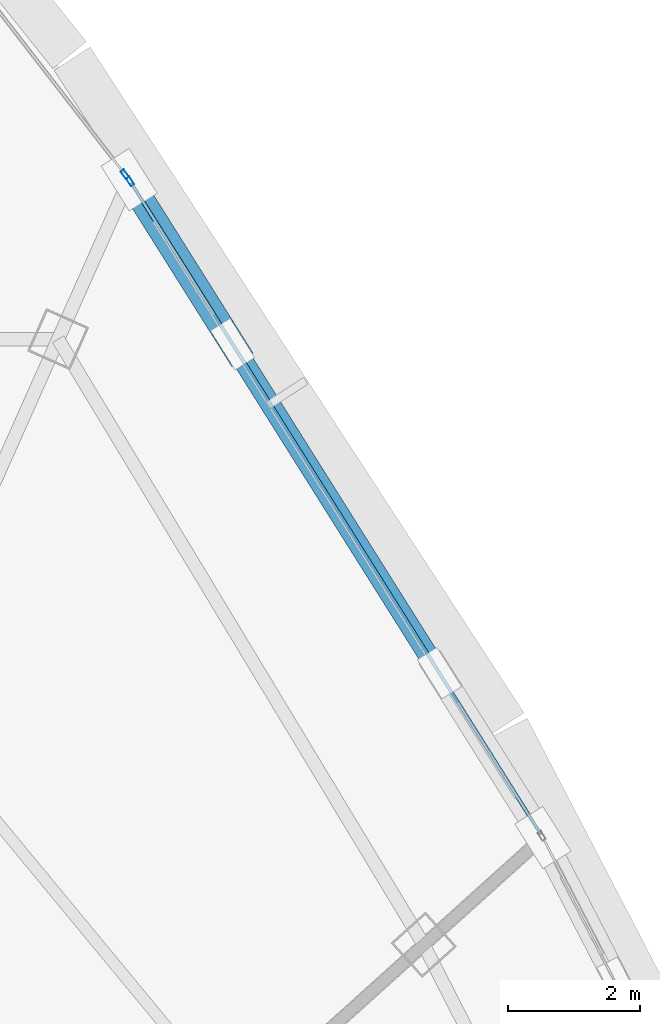
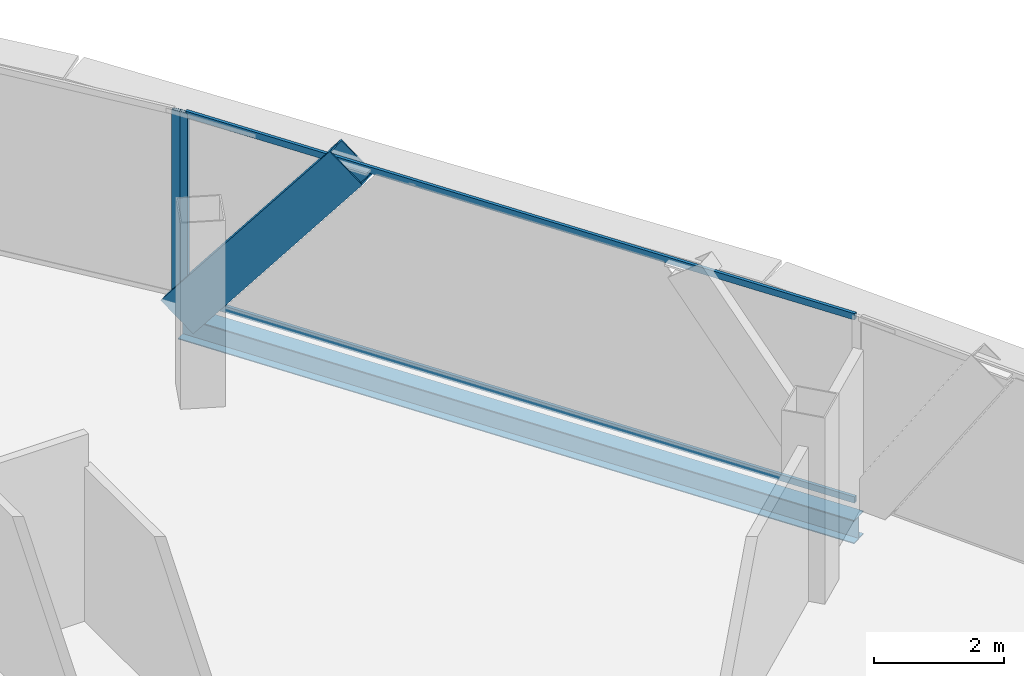
# One storey, part 20 of 30: 5 members, 1 beam, 2 elements without a shape of their own.
"""IFC4 building model written with IfcOpenShell, lengths in metres."""

from ifc_helpers import new_model, si_unit, direction, frame, origin, origin_2d, place, context, subcontext, project, spatial, hollow_rectangle, i_section, extrude, source, transform, mapped, material, layer, layer_set, material_profile, profile_set, type_object, element, aggregate, save


model = new_model("IFC4")

# Units and contexts
model_context = context("Model", 3, precision=1e-05, world=origin(), true_north=direction((0.0, 1.0)))
body_context = subcontext(model_context, "Body", "Model", "MODEL_VIEW")
ifc_project = project(units=[si_unit("LENGTHUNIT", "METRE"), si_unit("AREAUNIT", "SQUARE_METRE"), si_unit("VOLUMEUNIT", "CUBIC_METRE"), si_unit("PLANEANGLEUNIT", "RADIAN"), si_unit("MASSUNIT", "GRAM", prefix="KILO"), si_unit("THERMODYNAMICTEMPERATUREUNIT", "KELVIN"), si_unit("POWERUNIT", "WATT")], contexts=[model_context])

# Site, building, storey
site_placement = place(None, origin())
site = spatial("IfcSite", under=ifc_project, at=site_placement, CompositionType="ELEMENT")
building_placement = place(site_placement, origin())
building = spatial("IfcBuilding", under=site, at=building_placement, Name="Yunzhuo Pagoda Commons", CompositionType="ELEMENT")
storey_placement = place(building_placement, frame((0.0, 0.0, 351.760009765625)))
storey = spatial("IfcBuildingStorey", under=building, at=storey_placement, Name="L88", CompositionType="ELEMENT", Elevation=351.760009765625)

# Beam
ifc_material_1 = material(Name="Structural steel Q355B", Category="steel")
ifc_material_profile_1 = material_profile(ifc_material_1, i_section(OverallWidth=0.300048828125, OverallDepth=0.43994140625, WebThickness=0.010986328125, FlangeThickness=0.01806640625, at=origin_2d()), Name="Structural steel Q355B")
ifc_profile_set_1 = profile_set([ifc_material_profile_1], Name="Structural steel Q355B")
beam_type = type_object("IfcBeamType", Name="B-SP2 Beam HM 440x300x11x18", PredefinedType="BEAM", material=ifc_profile_set_1)
shared_shape_1 = source(origin(), body_context, "Body", "SweptSolid", [
    extrude(i_section(OverallWidth=0.300048828125, OverallDepth=0.43994140625, WebThickness=0.010986328125, FlangeThickness=0.01806640625, at=origin_2d()), origin(), (0.0, 0.0, 1.0), 11.74462890625),
])
beam_placement = place(storey_placement, frame((65.824462890625, 49.749267578125, -0.47998046875), z_axis=(-0.532345654655, 0.846527084014, 0.0), x_axis=(-0.846527084014, -0.532345654655, 0.0)))
element("IfcBeam", 1, at=beam_placement, inside=storey, type_object=beam_type, Name="L88 facade edge spandrel beam F2.3", PredefinedType="BEAM", context=body_context, shape_type="MappedRepresentation", body=[
    mapped(shared_shape_1, transform((0.0, 0.0, 0.0), scale=1.0)),
])

# Member
ifc_material_profile_2 = material_profile(ifc_material_1, hollow_rectangle(XDim=0.3798828125, YDim=0.719970703125, WallThickness=0.02001953125, at=origin_2d()), Name="Structural steel Q355B")
ifc_profile_set_2 = profile_set([ifc_material_profile_2], Name="Structural steel Q355B")
member_type_1 = type_object("IfcMemberType", Name="M-DL3 Brace BOX 720x380x20", PredefinedType="BRACE", material=ifc_profile_set_2)
shared_shape_2 = source(origin(), body_context, "Body", "SweptSolid", [
    extrude(hollow_rectangle(XDim=0.3798828125, YDim=0.719970703125, WallThickness=0.02001953125, at=origin_2d()), origin(), (0.0, 0.0, 1.0), 4.7626953125),
])
member_1_placement = place(storey_placement, frame((59.572265625, 59.69140625, -0.260009765625), z_axis=(0.328179292087, -0.521847109255, 0.787384243434), x_axis=(0.846518778159, 0.532358862257, 0.0)))
element("IfcMember", 2, at=member_1_placement, inside=storey, type_object=member_type_1, Name="L88 facade diamond brace F2.3R", PredefinedType="BRACE", context=body_context, shape_type="MappedRepresentation", body=[
    mapped(shared_shape_2, transform((0.0, 0.0, 0.0), scale=1.0)),
])

# Curtain wall, member
ifc_material_2 = material(Name="Anodized aluminium 6063-T6", Category="aluminium")
ifc_layer = layer(ifc_material_2, 0.139892578125)
ifc_layer_set = layer_set([ifc_layer], Name="Anodized aluminium 6063-T6")
curtain_wall_type = type_object("IfcCurtainWallType", Name="CW-HI High-Zone Ribbon Curtain Wall", PredefinedType="NOTDEFINED", material=ifc_layer_set)
curtain_wall_1_placement = place(storey_placement, origin())
curtain_wall_1 = element("IfcCurtainWall", 3, at=curtain_wall_1_placement, inside=storey, type_object=curtain_wall_type, Name="L88 curtain wall CW-L88-F2B4", PredefinedType="NOTDEFINED")
ifc_material_profile_3 = material_profile(ifc_material_2, hollow_rectangle(XDim=0.06005859375, YDim=0.139892578125, WallThickness=0.00341796875, at=origin_2d()), Name="Anodized aluminium 6063-T6")
ifc_profile_set_3 = profile_set([ifc_material_profile_3], Name="Anodized aluminium 6063-T6")
member_type_2 = type_object("IfcMemberType", Name="CW-HI-M Mullion RHS 140x60x3.5", PredefinedType="MULLION", material=ifc_profile_set_3)
shared_shape_3 = source(origin(), body_context, "Body", "SweptSolid", [
    extrude(hollow_rectangle(XDim=0.06005859375, YDim=0.139892578125, WallThickness=0.00341796875, at=origin_2d()), origin(), (0.0, 0.0, 1.0), 3.489990234375),
])
member_2_placement = place(storey_placement, frame((59.588134765625, 59.666015625, 0.0), z_axis=(0.0, 0.0, 1.0), x_axis=(-0.846524621891, -0.532349569861, 0.0)))
member_2 = element("IfcMember", 4, at=member_2_placement, type_object=member_type_2, Name="CW mullion 2", PredefinedType="MULLION", context=body_context, shape_type="MappedRepresentation", body=[
    mapped(shared_shape_3, transform((0.0, 0.0, 0.0), scale=1.0)),
])

curtain_wall_2_placement = place(storey_placement, origin())
curtain_wall_2 = element("IfcCurtainWall", 5, at=curtain_wall_2_placement, inside=storey, type_object=curtain_wall_type, Name="L88 curtain wall CW-L88-F2B5", PredefinedType="NOTDEFINED")
member_3_placement = place(storey_placement, frame((59.508056640625, 59.7744140625, 0.0), z_axis=(0.0, 0.0, 1.0), x_axis=(-0.790927145065, -0.611910329378, 0.0)))
member_3 = element("IfcMember", 6, at=member_3_placement, type_object=member_type_2, Name="CW mullion 1", PredefinedType="MULLION", context=body_context, shape_type="MappedRepresentation", body=[
    mapped(shared_shape_3, transform((0.0, 0.0, 0.0), scale=1.0)),
])
aggregate(curtain_wall_2, [member_3])

# Member
ifc_material_profile_4 = material_profile(ifc_material_2, hollow_rectangle(XDim=0.054931640625, YDim=0.1201171875, WallThickness=0.00341796875, at=origin_2d()), Name="Anodized aluminium 6063-T6")
ifc_profile_set_4 = profile_set([ifc_material_profile_4], Name="Anodized aluminium 6063-T6")
member_type_3 = type_object("IfcMemberType", Name="CW-HI-T Transom RHS 120x55x3.5", PredefinedType="USERDEFINED", material=ifc_profile_set_4)
shared_shape_4 = source(origin(), body_context, "Body", "SweptSolid", [
    extrude(hollow_rectangle(XDim=0.054931640625, YDim=0.1201171875, WallThickness=0.00341796875, at=origin_2d()), origin(), (0.0, 0.0, 1.0), 11.624755859375),
])
member_4_placement = place(storey_placement, frame((65.792724609375, 49.800048828125, 0.027587890625), z_axis=(-0.532354761255, 0.846521357184, 0.0), x_axis=(-0.846521357184, -0.532354761255, 0.0)))
member_4 = element("IfcMember", 7, at=member_4_placement, type_object=member_type_3, Name="CW transom 1.1", ObjectType="TRANSOM", PredefinedType="USERDEFINED", context=body_context, shape_type="MappedRepresentation", body=[
    mapped(shared_shape_4, transform((0.0, 0.0, 0.0), scale=1.0)),
])

member_5_placement = place(storey_placement, frame((65.792724609375, 49.800048828125, 3.46240234375), z_axis=(-0.532354761255, 0.846521357184, 0.0), x_axis=(-0.846521357184, -0.532354761255, 0.0)))
member_5 = element("IfcMember", 8, at=member_5_placement, type_object=member_type_3, Name="CW transom 1.2", ObjectType="TRANSOM", PredefinedType="USERDEFINED", context=body_context, shape_type="MappedRepresentation", body=[
    mapped(shared_shape_4, transform((0.0, 0.0, 0.0), scale=1.0)),
])

aggregate(curtain_wall_1, [member_2, member_4, member_5])

save(model, "model.ifc")
